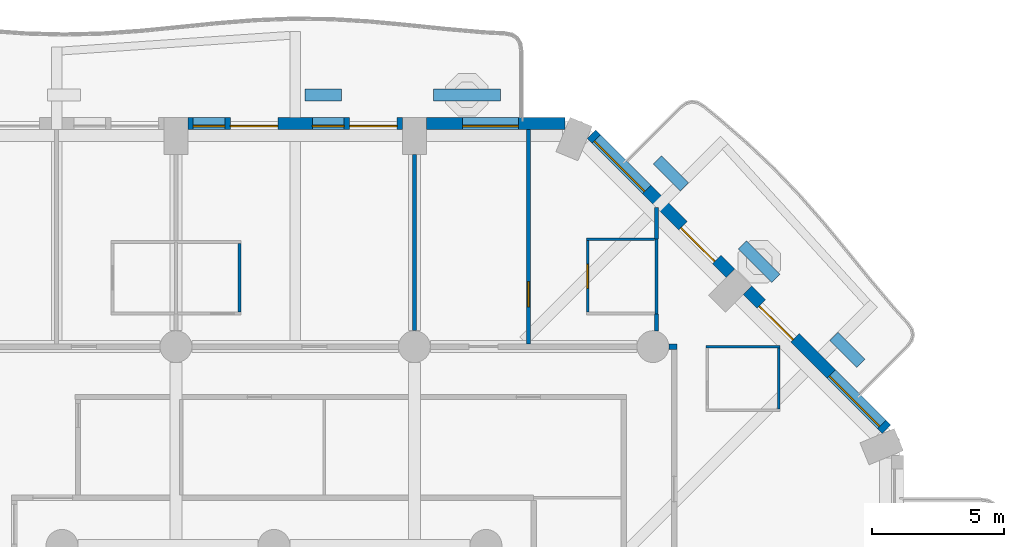
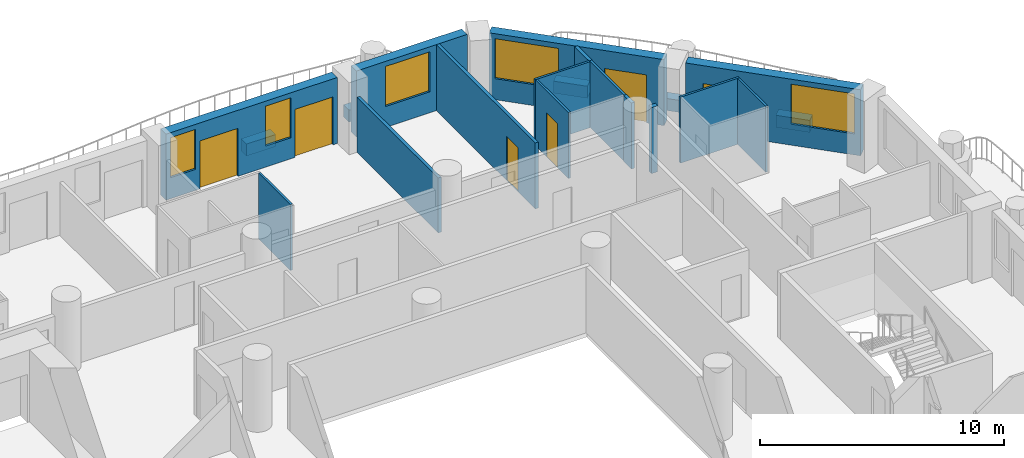
# One storey, part 10 of 20: 20 walls, 6 doors, 5 windows, 11 openings.
"""IFC4 building model written with IfcOpenShell, lengths in metres."""

from ifc_helpers import new_model, si_unit, direction, frame, frame_2d, origin, place, context, subcontext, project, spatial, rectangle, extrude, material, layer, layer_set, type_object, element, fill, save


model = new_model("IFC4")

# Units and contexts
model_context = context("Model", 3, precision=1e-05, world=origin(), true_north=direction((0.0, 1.0)))
body_context = subcontext(model_context, "Body", "Model", "MODEL_VIEW")
ifc_project = project(units=[si_unit("LENGTHUNIT", "METRE"), si_unit("AREAUNIT", "SQUARE_METRE"), si_unit("VOLUMEUNIT", "CUBIC_METRE"), si_unit("PLANEANGLEUNIT", "RADIAN"), si_unit("MASSUNIT", "GRAM", prefix="KILO")], contexts=[model_context])

# Site, building, storey
site_placement = place(None, origin())
site = spatial("IfcSite", under=ifc_project, at=site_placement, CompositionType="ELEMENT")
building_placement = place(site_placement, origin())
building = spatial("IfcBuilding", under=site, at=building_placement, Name="Cypress Arch Tower", CompositionType="ELEMENT")
storey_placement = place(building_placement, frame((0.0, 0.0, 87.89990234375)))
storey = spatial("IfcBuildingStorey", under=building, at=storey_placement, Name="L16", CompositionType="ELEMENT", Elevation=87.89990234375)

# Walls
ifc_material_1 = material(Name="Concrete C40/50, waterproofed", Category="concrete")
ifc_layer_1 = layer(ifc_material_1, 0.449951171875)
ifc_layer_set_1 = layer_set([ifc_layer_1], Name="Balcony planter wall PW450")
wall_type_1 = type_object("IfcWallType", Name="Balcony planter wall PW450", PredefinedType="SOLIDWALL", material=ifc_layer_set_1)
wall_1_placement = place(storey_placement, frame((23.150390625, 16.86376953125, 0.0), z_axis=(0.0, 0.0, 1.0), x_axis=(-0.707106781187, 0.707106781187, 0.0)))
element("IfcWall", 1, at=wall_1_placement, inside=storey, type_object=wall_type_1, Name="Balcony planter wall L16-A07.1", PredefinedType="SOLIDWALL", context=body_context, shape_type="SweptSolid", body=[
    extrude(rectangle(XDim=1.44482421875, YDim=0.449951171875, at=frame_2d((0.722412109375, 0.0))), origin(), (0.0, 0.0, 1.0), 0.60009765625),
])
wall_2_placement = place(storey_placement, frame((19.9365234375, 20.07763671875, 0.0), z_axis=(0.0, 0.0, 1.0), x_axis=(-0.707106781187, 0.707106781187, 0.0)))
element("IfcWall", 2, at=wall_2_placement, inside=storey, type_object=wall_type_1, Name="Balcony planter wall L16-A07.2", PredefinedType="SOLIDWALL", context=body_context, shape_type="SweptSolid", body=[
    extrude(rectangle(XDim=1.780517578125, YDim=0.449951171875, at=frame_2d((0.89013671875, 0.0))), origin(), (0.0, 0.0, 1.0), 0.60009765625),
])
wall_3_placement = place(storey_placement, frame((16.485595703125, 23.528564453125, 0.0), z_axis=(0.0, 0.0, 1.0), x_axis=(-0.707022305137, 0.707191247145, 0.0)))
element("IfcWall", 3, at=wall_3_placement, inside=storey, type_object=wall_type_1, Name="Balcony planter wall L16-A07.3", PredefinedType="SOLIDWALL", context=body_context, shape_type="SweptSolid", body=[
    extrude(rectangle(XDim=1.445068359375, YDim=0.449951171875, at=frame_2d((0.72265625, 0.0))), origin(), (0.0, 0.0, 1.0), 0.60009765625),
])
wall_4_placement = place(storey_placement, frame((9.550048828125, 27.0, 0.0), z_axis=(0.0, 0.0, 1.0), x_axis=(-1.0, 0.0, 0.0)))
element("IfcWall", 4, at=wall_4_placement, inside=storey, type_object=wall_type_1, Name="Balcony planter wall L16-A08.1", PredefinedType="SOLIDWALL", context=body_context, shape_type="SweptSolid", body=[
    extrude(rectangle(XDim=2.53759765625, YDim=0.449951171875, at=frame_2d((1.268798828125, 0.0))), origin(), (0.0, 0.0, 1.0), 0.60009765625),
])
wall_5_placement = place(storey_placement, frame((3.550048828125, 27.0, 0.0), z_axis=(0.0, 0.0, 1.0), x_axis=(-1.0, 0.0, 0.0)))
element("IfcWall", 5, at=wall_5_placement, inside=storey, type_object=wall_type_1, Name="Balcony planter wall L16-A08.2", PredefinedType="SOLIDWALL", context=body_context, shape_type="SweptSolid", body=[
    extrude(rectangle(XDim=1.375, YDim=0.449951171875, at=frame_2d((0.6875, 0.0))), origin(), (0.0, 0.0, 1.0), 0.60009765625),
])

# Wall, openings, door, window
ifc_material_2 = material(Name="Brick (red buff blend)", Category="masonry")
ifc_layer_2 = layer(ifc_material_2, 0.449951171875)
ifc_layer_set_2 = layer_set([ifc_layer_2], Name="Brick pier and spandrel wall BW450")
wall_type_2 = type_object("IfcWallType", Name="Brick pier and spandrel wall BW450", PredefinedType="SOLIDWALL", material=ifc_layer_set_2)
wall_6_placement = place(storey_placement, frame((24.11474609375, 14.379150390625, 0.0), z_axis=(0.0, 0.0, 1.0), x_axis=(-0.707106781187, 0.707106781187, 0.0)))
wall_6 = element("IfcWall", 6, at=wall_6_placement, inside=storey, type_object=wall_type_2, Name="Brick wall L16 A07.0", PredefinedType="SOLIDWALL", context=body_context, shape_type="SweptSolid", body=[
    extrude(rectangle(XDim=7.423828125, YDim=0.449951171875, at=frame_2d((3.7119140625, 0.0))), origin(), (0.0, 0.0, 1.0), 3.300048828125),
])
opening_1_placement = place(wall_6_placement, frame((0.253173828125, 0.0, 1.050048828125)))
opening_1 = element("IfcOpeningElement", 7, at=opening_1_placement, cuts=wall_6, Name="Opening W270HD", PredefinedType="OPENING", context=body_context, shape_type="SweptSolid", body=[
    extrude(rectangle(XDim=2.699951171875, YDim=2.0, at=frame_2d((1.35009765625, 1.0))), frame((0.0, 0.23486328125, 0.0), z_axis=(0.0, -1.0, 0.0), x_axis=(1.0, 0.0, 0.0)), (0.0, 0.0, 1.0), 0.469970703125),
])
opening_2_placement = place(wall_6_placement, frame((4.8837890625, 0.0, 0.0)))
opening_2 = element("IfcOpeningElement", 8, at=opening_2_placement, cuts=wall_6, Name="Opening D-L16-A07.0.2", PredefinedType="OPENING", context=body_context, shape_type="SweptSolid", body=[
    extrude(rectangle(XDim=1.800048828125, YDim=2.39990234375, at=frame_2d((0.89990234375, 1.199951171875))), frame((0.0, 0.23486328125, 0.0), z_axis=(0.0, -1.0, 0.0), x_axis=(1.0, 0.0, 0.0)), (0.0, 0.0, 1.0), 0.469970703125),
])
ifc_material_3 = material(Name="Anodised aluminium, bronze finish, laminated low-emissivity double glazing, large-missile impact rated", Category="aluminium")
door_type_1 = type_object("IfcDoorType", Name="Balcony sliding door 1800x2400", OperationType="SLIDING_TO_LEFT", PredefinedType="DOOR", material=ifc_material_3)
door_1_placement = place(opening_2_placement, origin())
door_1 = element("IfcDoor", 9, at=door_1_placement, inside=storey, type_object=door_type_1, Name="Balcony door L16 A07.0.2", OperationType="SLIDING_TO_LEFT", OverallHeight=2.39990234375, OverallWidth=1.800048828125, PredefinedType="DOOR", context=body_context, shape_type="SweptSolid", body=[
    extrude(rectangle(XDim=1.800048828125, YDim=2.39990234375, at=frame_2d((0.89990234375, 1.199951171875))), frame((0.0, 0.1298828125, 0.0), z_axis=(0.0, -1.0, 0.0), x_axis=(1.0, 0.0, 0.0)), (0.0, 0.0, 1.0), 0.050048828125),
])
fill(opening_2, door_1)
ifc_material_4 = material(Name="Anodised aluminium, bronze finish, laminated low-emissivity double glazing, large-missile impact rated", Category="aluminium")
window_type_1 = type_object("IfcWindowType", Name="Window Hotel 2700x2000 debris-rated", PartitioningType="SINGLE_PANEL", PredefinedType="WINDOW", material=ifc_material_4)
window_1_placement = place(opening_1_placement, origin())
window_1 = element("IfcWindow", 10, at=window_1_placement, inside=storey, type_object=window_type_1, Name="Window L16 A07.0.1", OverallHeight=2.0, OverallWidth=2.699951171875, PartitioningType="SINGLE_PANEL", PredefinedType="WINDOW", context=body_context, shape_type="SweptSolid", body=[
    extrude(rectangle(XDim=2.699951171875, YDim=2.0, at=frame_2d((1.35009765625, 1.0))), frame((0.0, 0.135009765625, 0.0), z_axis=(0.0, -1.0, 0.0), x_axis=(1.0, 0.0, 0.0)), (0.0, 0.0, 1.0), 0.06005859375),
])
fill(opening_1, window_1)

wall_7_placement = place(storey_placement, frame((18.228759765625, 20.26513671875, 0.0), z_axis=(0.0, 0.0, 1.0), x_axis=(-0.707106781187, 0.707106781187, 0.0)))
wall_7 = element("IfcWall", 11, at=wall_7_placement, inside=storey, type_object=wall_type_2, Name="Brick wall L16 A07.1", PredefinedType="SOLIDWALL", context=body_context, shape_type="SweptSolid", body=[
    extrude(rectangle(XDim=7.423828125, YDim=0.449951171875, at=frame_2d((3.7119140625, 0.0))), origin(), (0.0, 0.0, 1.0), 3.300048828125),
])
opening_3_placement = place(wall_7_placement, frame((0.740234375, 0.0, 0.0)))
opening_3 = element("IfcOpeningElement", 12, at=opening_3_placement, cuts=wall_7, Name="Opening D-L16-A07.1.1", PredefinedType="OPENING", context=body_context, shape_type="SweptSolid", body=[
    extrude(rectangle(XDim=1.800048828125, YDim=2.39990234375, at=frame_2d((0.89990234375, 1.199951171875))), frame((0.0, 0.23486328125, 0.0), z_axis=(0.0, -1.0, 0.0), x_axis=(1.0, 0.0, 0.0)), (0.0, 0.0, 1.0), 0.469970703125),
])
opening_4_placement = place(wall_7_placement, frame((4.470703125, 0.0, 1.050048828125)))
opening_4 = element("IfcOpeningElement", 13, at=opening_4_placement, cuts=wall_7, Name="Opening W270HD", PredefinedType="OPENING", context=body_context, shape_type="SweptSolid", body=[
    extrude(rectangle(XDim=2.699951171875, YDim=2.0, at=frame_2d((1.35009765625, 1.0))), frame((0.0, 0.23486328125, 0.0), z_axis=(0.0, -1.0, 0.0), x_axis=(1.0, 0.0, 0.0)), (0.0, 0.0, 1.0), 0.469970703125),
])
door_2_placement = place(opening_3_placement, origin())
door_2 = element("IfcDoor", 14, at=door_2_placement, inside=storey, type_object=door_type_1, Name="Balcony door L16 A07.1.1", OperationType="SLIDING_TO_LEFT", OverallHeight=2.39990234375, OverallWidth=1.800048828125, PredefinedType="DOOR", context=body_context, shape_type="SweptSolid", body=[
    extrude(rectangle(XDim=1.800048828125, YDim=2.39990234375, at=frame_2d((0.89990234375, 1.199951171875))), frame((0.0, 0.1298828125, 0.0), z_axis=(0.0, -1.0, 0.0), x_axis=(1.0, 0.0, 0.0)), (0.0, 0.0, 1.0), 0.050048828125),
])
fill(opening_3, door_2)
window_2_placement = place(opening_4_placement, origin())
window_2 = element("IfcWindow", 15, at=window_2_placement, inside=storey, type_object=window_type_1, Name="Window L16 A07.1.2", OverallHeight=2.0, OverallWidth=2.699951171875, PartitioningType="SINGLE_PANEL", PredefinedType="WINDOW", context=body_context, shape_type="SweptSolid", body=[
    extrude(rectangle(XDim=2.699951171875, YDim=2.0, at=frame_2d((1.35009765625, 1.0))), frame((0.0, 0.135009765625, 0.0), z_axis=(0.0, -1.0, 0.0), x_axis=(1.0, 0.0, 0.0)), (0.0, 0.0, 1.0), 0.06005859375),
])
fill(opening_4, window_2)

# Wall, opening, window
wall_8_placement = place(storey_placement, frame((11.98876953125, 25.925048828125, 0.0), z_axis=(0.0, 0.0, 1.0), x_axis=(-1.0, 0.0, 0.0)))
wall_8 = element("IfcWall", 16, at=wall_8_placement, inside=storey, type_object=wall_type_2, Name="Brick wall L16 A08.0", PredefinedType="SOLIDWALL", context=body_context, shape_type="SweptSolid", body=[
    extrude(rectangle(XDim=5.23876953125, YDim=0.449951171875, at=frame_2d((2.619384765625, 0.0))), origin(), (0.0, 0.0, 1.0), 3.300048828125),
])
opening_5_placement = place(wall_8_placement, frame((1.769775390625, 0.0, 1.050048828125)))
opening_5 = element("IfcOpeningElement", 17, at=opening_5_placement, cuts=wall_8, Name="Opening W210HD", PredefinedType="OPENING", context=body_context, shape_type="SweptSolid", body=[
    extrude(rectangle(XDim=2.10009765625, YDim=2.0, at=frame_2d((1.050048828125, 1.0))), frame((0.0, 0.23486328125, 0.0), z_axis=(0.0, -1.0, 0.0), x_axis=(1.0, 0.0, 0.0)), (0.0, 0.0, 1.0), 0.469970703125),
])
ifc_material_5 = material(Name="Anodised aluminium, bronze finish, laminated low-emissivity double glazing, large-missile impact rated", Category="aluminium")
window_type_2 = type_object("IfcWindowType", Name="Window Hotel 2100x2000 debris-rated", PartitioningType="SINGLE_PANEL", PredefinedType="WINDOW", material=ifc_material_5)
window_3_placement = place(opening_5_placement, origin())
window_3 = element("IfcWindow", 18, at=window_3_placement, inside=storey, type_object=window_type_2, Name="Window L16 A08.0.1", OverallHeight=2.0, OverallWidth=2.10009765625, PartitioningType="SINGLE_PANEL", PredefinedType="WINDOW", context=body_context, shape_type="SweptSolid", body=[
    extrude(rectangle(XDim=2.10009765625, YDim=2.0, at=frame_2d((1.050048828125, 1.0))), frame((0.0, 0.135009765625, 0.0), z_axis=(0.0, -1.0, 0.0), x_axis=(1.0, 0.0, 0.0)), (0.0, 0.0, 1.0), 0.06005859375),
])
fill(opening_5, window_3)

# Wall, openings, doors, windows
wall_9_placement = place(storey_placement, frame((5.85009765625, 25.925048828125, 0.0), z_axis=(0.0, 0.0, 1.0), x_axis=(-1.0, 0.0, 0.0)))
wall_9 = element("IfcWall", 19, at=wall_9_placement, inside=storey, type_object=wall_type_2, Name="Brick wall L16 A08.1", PredefinedType="SOLIDWALL", context=body_context, shape_type="SweptSolid", body=[
    extrude(rectangle(XDim=8.10009765625, YDim=0.449951171875, at=frame_2d((4.050048828125, 0.0))), origin(), (0.0, 0.0, 1.0), 3.300048828125),
])
opening_6_placement = place(wall_9_placement, frame((0.199951171875, 0.0, 0.0)))
opening_6 = element("IfcOpeningElement", 20, at=opening_6_placement, cuts=wall_9, Name="Opening D-L16-A08.1.1", PredefinedType="OPENING", context=body_context, shape_type="SweptSolid", body=[
    extrude(rectangle(XDim=1.800048828125, YDim=2.39990234375, at=frame_2d((0.89990234375, 1.199951171875))), frame((0.0, 0.23486328125, 0.0), z_axis=(0.0, -1.0, 0.0), x_axis=(1.0, 0.0, 0.0)), (0.0, 0.0, 1.0), 0.469970703125),
])
opening_7_placement = place(wall_9_placement, frame((2.199951171875, 0.0, 1.050048828125)))
opening_7 = element("IfcOpeningElement", 21, at=opening_7_placement, cuts=wall_9, Name="Opening W120HD", PredefinedType="OPENING", context=body_context, shape_type="SweptSolid", body=[
    extrude(rectangle(XDim=1.199951171875, YDim=2.0, at=frame_2d((0.60009765625, 1.0))), frame((0.0, 0.23486328125, 0.0), z_axis=(0.0, -1.0, 0.0), x_axis=(1.0, 0.0, 0.0)), (0.0, 0.0, 1.0), 0.469970703125),
])
opening_8_placement = place(wall_9_placement, frame((4.699951171875, 0.0, 0.0)))
opening_8 = element("IfcOpeningElement", 22, at=opening_8_placement, cuts=wall_9, Name="Opening D-L16-A08.1.2", PredefinedType="OPENING", context=body_context, shape_type="SweptSolid", body=[
    extrude(rectangle(XDim=1.800048828125, YDim=2.39990234375, at=frame_2d((0.89990234375, 1.199951171875))), frame((0.0, 0.23486328125, 0.0), z_axis=(0.0, -1.0, 0.0), x_axis=(1.0, 0.0, 0.0)), (0.0, 0.0, 1.0), 0.469970703125),
])
opening_9_placement = place(wall_9_placement, frame((6.699951171875, 0.0, 1.050048828125)))
opening_9 = element("IfcOpeningElement", 23, at=opening_9_placement, cuts=wall_9, Name="Opening W120HD", PredefinedType="OPENING", context=body_context, shape_type="SweptSolid", body=[
    extrude(rectangle(XDim=1.199951171875, YDim=2.0, at=frame_2d((0.60009765625, 1.0))), frame((0.0, 0.23486328125, 0.0), z_axis=(0.0, -1.0, 0.0), x_axis=(1.0, 0.0, 0.0)), (0.0, 0.0, 1.0), 0.469970703125),
])
door_3_placement = place(opening_6_placement, origin())
door_3 = element("IfcDoor", 24, at=door_3_placement, inside=storey, type_object=door_type_1, Name="Balcony door L16 A08.1.1", OperationType="SLIDING_TO_LEFT", OverallHeight=2.39990234375, OverallWidth=1.800048828125, PredefinedType="DOOR", context=body_context, shape_type="SweptSolid", body=[
    extrude(rectangle(XDim=1.800048828125, YDim=2.39990234375, at=frame_2d((0.89990234375, 1.199951171875))), frame((0.0, 0.1298828125, 0.0), z_axis=(0.0, -1.0, 0.0), x_axis=(1.0, 0.0, 0.0)), (0.0, 0.0, 1.0), 0.050048828125),
])
fill(opening_6, door_3)
door_4_placement = place(opening_8_placement, origin())
door_4 = element("IfcDoor", 25, at=door_4_placement, inside=storey, type_object=door_type_1, Name="Balcony door L16 A08.1.2", OperationType="SLIDING_TO_LEFT", OverallHeight=2.39990234375, OverallWidth=1.800048828125, PredefinedType="DOOR", context=body_context, shape_type="SweptSolid", body=[
    extrude(rectangle(XDim=1.800048828125, YDim=2.39990234375, at=frame_2d((0.89990234375, 1.199951171875))), frame((0.0, 0.1298828125, 0.0), z_axis=(0.0, -1.0, 0.0), x_axis=(1.0, 0.0, 0.0)), (0.0, 0.0, 1.0), 0.050048828125),
])
fill(opening_8, door_4)
ifc_material_6 = material(Name="Anodised aluminium, bronze finish, laminated low-emissivity double glazing, large-missile impact rated", Category="aluminium")
window_type_3 = type_object("IfcWindowType", Name="Window Hotel 1200x2000 debris-rated", PartitioningType="SINGLE_PANEL", PredefinedType="WINDOW", material=ifc_material_6)
window_4_placement = place(opening_7_placement, origin())
window_4 = element("IfcWindow", 26, at=window_4_placement, inside=storey, type_object=window_type_3, Name="Window L16 A08.1.1", OverallHeight=2.0, OverallWidth=1.199951171875, PartitioningType="SINGLE_PANEL", PredefinedType="WINDOW", context=body_context, shape_type="SweptSolid", body=[
    extrude(rectangle(XDim=1.199951171875, YDim=2.0, at=frame_2d((0.60009765625, 1.0))), frame((0.0, 0.135009765625, 0.0), z_axis=(0.0, -1.0, 0.0), x_axis=(1.0, 0.0, 0.0)), (0.0, 0.0, 1.0), 0.06005859375),
])
fill(opening_7, window_4)
window_5_placement = place(opening_9_placement, origin())
window_5 = element("IfcWindow", 27, at=window_5_placement, inside=storey, type_object=window_type_3, Name="Window L16 A08.1.2", OverallHeight=2.0, OverallWidth=1.199951171875, PartitioningType="SINGLE_PANEL", PredefinedType="WINDOW", context=body_context, shape_type="SweptSolid", body=[
    extrude(rectangle(XDim=1.199951171875, YDim=2.0, at=frame_2d((0.60009765625, 1.0))), frame((0.0, 0.135009765625, 0.0), z_axis=(0.0, -1.0, 0.0), x_axis=(1.0, 0.0, 0.0)), (0.0, 0.0, 1.0), 0.06005859375),
])
fill(opening_9, window_5)

# Walls
ifc_material_7 = material(Name="Concrete blockwork, plastered, rated", Category="masonry")
ifc_layer_3 = layer(ifc_material_7, 0.199951171875)
ifc_layer_set_3 = layer_set([ifc_layer_3], Name="Corridor wall FW200")
wall_type_3 = type_object("IfcWallType", Name="Corridor wall FW200", PredefinedType="PARTITIONING", material=ifc_layer_set_3)
wall_10_placement = place(storey_placement, frame((15.89990234375, 17.5, 0.0), z_axis=(0.0, 0.0, 1.0), x_axis=(1.0, 0.0, 0.0)))
element("IfcWall", 28, at=wall_10_placement, inside=storey, type_object=wall_type_3, Name="Corridor wall", PredefinedType="PARTITIONING", context=body_context, shape_type="SweptSolid", body=[
    extrude(rectangle(XDim=0.300048828125, YDim=0.199951171875, at=frame_2d((0.14990234375, 0.0))), origin(), (0.0, 0.0, 1.0), 3.300048828125),
])
ifc_material_8 = material(Name="Blockwork, plastered both sides", Category="masonry")
ifc_layer_4 = layer(ifc_material_8, 0.14990234375)
ifc_layer_set_4 = layer_set([ifc_layer_4], Name="Partition PW150")
wall_type_4 = type_object("IfcWallType", Name="Partition PW150", PredefinedType="PARTITIONING", material=ifc_layer_set_4)
wall_11_placement = place(storey_placement, frame((6.300048828125, 18.10009765625, 0.0), z_axis=(0.0, 0.0, 1.0), x_axis=(0.0, 1.0, 0.0)))
element("IfcWall", 29, at=wall_11_placement, inside=storey, type_object=wall_type_4, Name="Partition", PredefinedType="PARTITIONING", context=body_context, shape_type="SweptSolid", body=[
    extrude(rectangle(XDim=6.64990234375, YDim=0.14990234375, at=frame_2d((3.324951171875, 0.0))), origin(), (0.0, 0.0, 1.0), 2.75),
])

# Wall, opening, door
wall_12_placement = place(storey_placement, frame((10.60009765625, 17.60009765625, 0.0), z_axis=(0.0, 0.0, 1.0), x_axis=(0.0, 1.0, 0.0)))
wall_12 = element("IfcWall", 30, at=wall_12_placement, inside=storey, type_object=wall_type_4, Name="Partition", PredefinedType="PARTITIONING", context=body_context, shape_type="SweptSolid", body=[
    extrude(rectangle(XDim=8.099853515625, YDim=0.14990234375, at=frame_2d((4.0498046875, 0.0))), origin(), (0.0, 0.0, 1.0), 3.300048828125),
])
opening_10_placement = place(wall_12_placement, frame((1.39990234375, 0.0, 0.0)))
opening_10 = element("IfcOpeningElement", 31, at=opening_10_placement, cuts=wall_12, Name="Opening D12", PredefinedType="OPENING", context=body_context, shape_type="SweptSolid", body=[
    extrude(rectangle(XDim=0.949951171875, YDim=2.199951171875, at=frame_2d((0.47509765625, 1.10009765625))), frame((0.0, 0.0849609375, 0.0), z_axis=(0.0, -1.0, 0.0), x_axis=(1.0, 0.0, 0.0)), (0.0, 0.0, 1.0), 0.169921875),
])
ifc_material_9 = material(Name="Timber flush door", Category="wood")
door_type_2 = type_object("IfcDoorType", Name="Room door D12 950x2200", OperationType="SINGLE_SWING_LEFT", PredefinedType="DOOR", material=ifc_material_9)
door_5_placement = place(opening_10_placement, origin())
door_5 = element("IfcDoor", 32, at=door_5_placement, inside=storey, type_object=door_type_2, Name="Room door", OperationType="SINGLE_SWING_LEFT", OverallHeight=2.199951171875, OverallWidth=0.949951171875, PredefinedType="DOOR", context=body_context, shape_type="SweptSolid", body=[
    extrude(rectangle(XDim=0.949951171875, YDim=2.199951171875, at=frame_2d((0.47509765625, 1.10009765625))), frame((0.0, 0.02490234375, 0.0), z_axis=(0.0, -1.0, 0.0), x_axis=(1.0, 0.0, 0.0)), (0.0, 0.0, 1.0), 0.050048828125),
])
fill(opening_10, door_5)

# Walls
wall_13_placement = place(storey_placement, frame((15.431884765625, 18.093994140625, 0.0), z_axis=(0.0, 0.0, 1.0), x_axis=(0.0, 1.0, 0.0)))
element("IfcWall", 33, at=wall_13_placement, inside=storey, type_object=wall_type_4, Name="Partition", PredefinedType="PARTITIONING", context=body_context, shape_type="SweptSolid", body=[
    extrude(rectangle(XDim=0.635986328125, YDim=0.14990234375, at=frame_2d((0.31787109375, 0.0))), origin(), (0.0, 0.0, 1.0), 3.300048828125),
])
wall_14_placement = place(storey_placement, frame((15.431884765625, 21.570068359375, 0.0), z_axis=(0.0, 0.0, 1.0), x_axis=(0.0, 1.0, 0.0)))
element("IfcWall", 34, at=wall_14_placement, inside=storey, type_object=wall_type_4, Name="Partition", PredefinedType="PARTITIONING", context=body_context, shape_type="SweptSolid", body=[
    extrude(rectangle(XDim=1.173583984375, YDim=0.14990234375, at=frame_2d((0.5869140625, 0.0))), origin(), (0.0, 0.0, 1.0), 3.300048828125),
])
ifc_material_10 = material(Name="Moisture resistant board on steel studs, tiled", Category="steel")
ifc_layer_5 = layer(ifc_material_10, 0.10009765625)
ifc_layer_set_5 = layer_set([ifc_layer_5], Name="Wet wall PW100")
wall_type_5 = type_object("IfcWallType", Name="Wet wall PW100", PredefinedType="PARTITIONING", material=ifc_layer_set_5)
wall_15_placement = place(storey_placement, frame((-0.303955078125, 18.800048828125, 0.0), z_axis=(0.0, 0.0, 1.0), x_axis=(0.0, 1.0, 0.0)))
element("IfcWall", 35, at=wall_15_placement, inside=storey, type_object=wall_type_5, Name="Wet wall", PredefinedType="PARTITIONING", context=body_context, shape_type="SweptSolid", body=[
    extrude(rectangle(XDim=2.599853515625, YDim=0.10009765625, at=frame_2d((1.2998046875, 0.0))), origin(), (0.0, 0.0, 1.0), 3.300048828125),
])

# Wall, opening, door
wall_16_placement = place(storey_placement, frame((12.8359375, 18.800048828125, 0.0), z_axis=(0.0, 0.0, 1.0), x_axis=(0.0, 1.0, 0.0)))
wall_16 = element("IfcWall", 36, at=wall_16_placement, inside=storey, type_object=wall_type_5, Name="Wet wall", PredefinedType="PARTITIONING", context=body_context, shape_type="SweptSolid", body=[
    extrude(rectangle(XDim=2.699951171875, YDim=0.10009765625, at=frame_2d((1.35009765625, 0.0))), origin(), (0.0, 0.0, 1.0), 3.300048828125),
])
opening_11_placement = place(wall_16_placement, frame((0.89990234375, 0.0, 0.0)))
opening_11 = element("IfcOpeningElement", 37, at=opening_11_placement, cuts=wall_16, Name="Opening D03", PredefinedType="OPENING", context=body_context, shape_type="SweptSolid", body=[
    extrude(rectangle(XDim=0.89990234375, YDim=2.199951171875, at=frame_2d((0.449951171875, 1.10009765625))), frame((0.0, 0.06005859375, 0.0), z_axis=(0.0, -1.0, 0.0), x_axis=(1.0, 0.0, 0.0)), (0.0, 0.0, 1.0), 0.1201171875),
])
ifc_material_11 = material(Name="Timber flush door, moisture resistant", Category="wood")
door_type_3 = type_object("IfcDoorType", Name="Bathroom door D03 900x2200", OperationType="SINGLE_SWING_LEFT", PredefinedType="DOOR", material=ifc_material_11)
door_6_placement = place(opening_11_placement, origin())
door_6 = element("IfcDoor", 38, at=door_6_placement, inside=storey, type_object=door_type_3, Name="Bathroom door", OperationType="SINGLE_SWING_LEFT", OverallHeight=2.199951171875, OverallWidth=0.89990234375, PredefinedType="DOOR", context=body_context, shape_type="SweptSolid", body=[
    extrude(rectangle(XDim=0.89990234375, YDim=2.199951171875, at=frame_2d((0.449951171875, 1.10009765625))), frame((0.0, 0.02490234375, 0.0), z_axis=(0.0, -1.0, 0.0), x_axis=(1.0, 0.0, 0.0)), (0.0, 0.0, 1.0), 0.050048828125),
])
fill(opening_11, door_6)

# Walls
wall_17_placement = place(storey_placement, frame((12.785888671875, 21.550048828125, 0.0), z_axis=(0.0, 0.0, 1.0), x_axis=(1.0, 0.0, 0.0)))
element("IfcWall", 39, at=wall_17_placement, inside=storey, type_object=wall_type_5, Name="Wet wall", PredefinedType="PARTITIONING", context=body_context, shape_type="SweptSolid", body=[
    extrude(rectangle(XDim=2.571044921875, YDim=0.10009765625, at=frame_2d((1.28564453125, 0.0))), origin(), (0.0, 0.0, 1.0), 3.300048828125),
])
wall_18_placement = place(storey_placement, frame((15.431884765625, 18.72998046875, 0.0), z_axis=(0.0, 0.0, 1.0), x_axis=(0.0, 1.0, 0.0)))
element("IfcWall", 40, at=wall_18_placement, inside=storey, type_object=wall_type_5, Name="Wet wall", PredefinedType="PARTITIONING", context=body_context, shape_type="SweptSolid", body=[
    extrude(rectangle(XDim=2.840087890625, YDim=0.10009765625, at=frame_2d((1.419921875, 0.0))), origin(), (0.0, 0.0, 1.0), 3.300048828125),
])
wall_19_placement = place(storey_placement, frame((17.300048828125, 17.5, 0.0), z_axis=(0.0, 0.0, 1.0), x_axis=(1.0, 0.0, 0.0)))
element("IfcWall", 41, at=wall_19_placement, inside=storey, type_object=wall_type_5, Name="Wet wall", PredefinedType="PARTITIONING", context=body_context, shape_type="SweptSolid", body=[
    extrude(rectangle(XDim=2.800048828125, YDim=0.10009765625, at=frame_2d((1.39990234375, 0.0))), origin(), (0.0, 0.0, 1.0), 3.300048828125),
])
wall_20_placement = place(storey_placement, frame((20.050048828125, 15.14990234375, 0.0), z_axis=(0.0, 0.0, 1.0), x_axis=(0.0, 1.0, 0.0)))
element("IfcWall", 42, at=wall_20_placement, inside=storey, type_object=wall_type_5, Name="Wet wall", PredefinedType="PARTITIONING", context=body_context, shape_type="SweptSolid", body=[
    extrude(rectangle(XDim=2.300048828125, YDim=0.10009765625, at=frame_2d((1.14990234375, 0.0))), origin(), (0.0, 0.0, 1.0), 3.300048828125),
])

save(model, "model.ifc")
